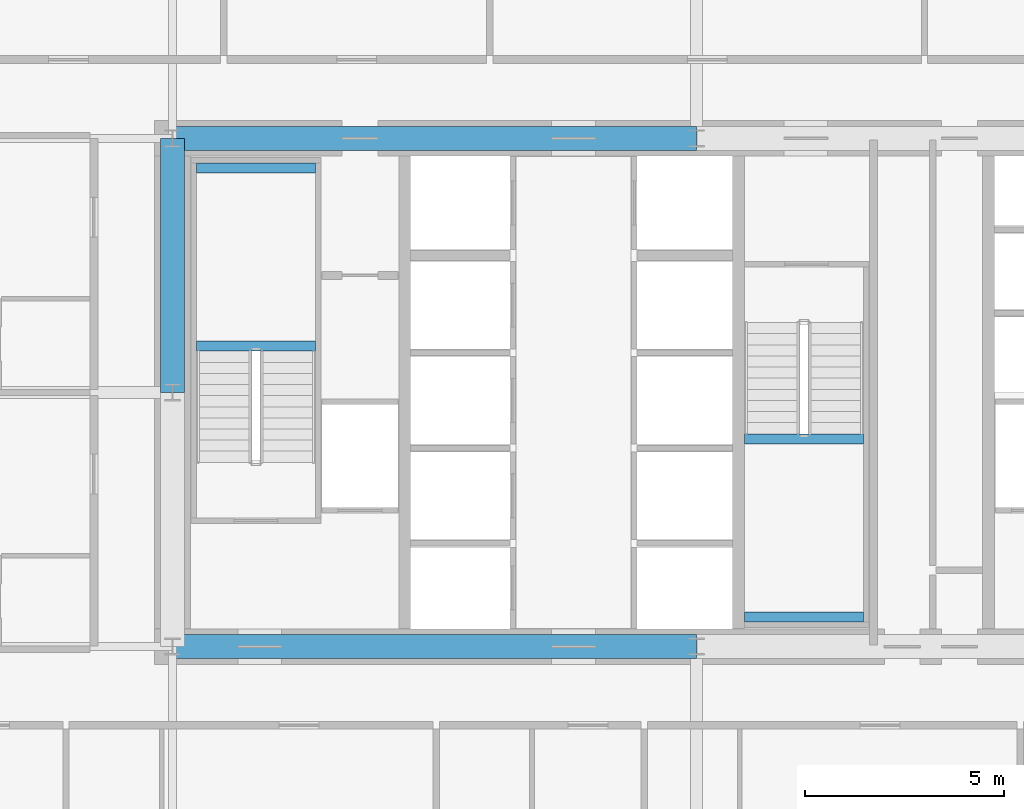
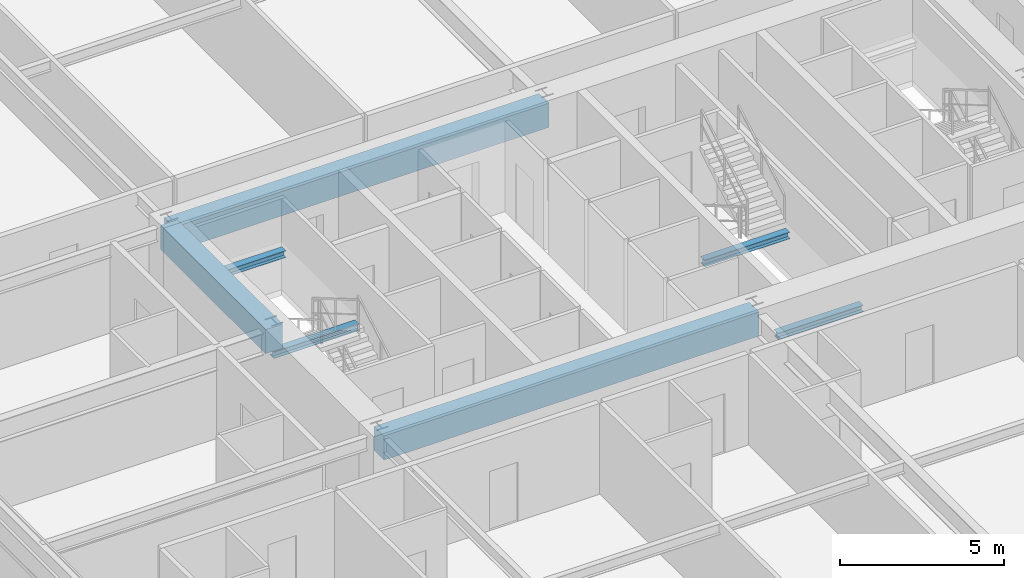
# One storey, part 12 of 43: 7 beams.
"""IFC4 building model written with IfcOpenShell, lengths in metres."""

from ifc_helpers import new_model, si_unit, direction, frame, origin, origin_2d, place, context, subcontext, project, spatial, rectangle, i_section, extrude, source, transform, mapped, material, material_profile, profile_set, type_object, element, save


model = new_model("IFC4")

# Units and contexts
model_context = context("Model", 3, precision=1e-05, world=origin(), true_north=direction((0.0, 1.0)))
body_context = subcontext(model_context, "Body", "Model", "MODEL_VIEW")
ifc_project = project(units=[si_unit("LENGTHUNIT", "METRE"), si_unit("AREAUNIT", "SQUARE_METRE"), si_unit("VOLUMEUNIT", "CUBIC_METRE"), si_unit("PLANEANGLEUNIT", "RADIAN"), si_unit("MASSUNIT", "GRAM", prefix="KILO"), si_unit("THERMODYNAMICTEMPERATUREUNIT", "KELVIN"), si_unit("POWERUNIT", "WATT")], contexts=[model_context])

# Site, building, storey
site_placement = place(None, origin())
site = spatial("IfcSite", under=ifc_project, at=site_placement, CompositionType="ELEMENT")
building_placement = place(site_placement, origin())
building = spatial("IfcBuilding", under=site, at=building_placement, Name="Yuzanri Waterfront Tower", CompositionType="ELEMENT")
storey_placement = place(building_placement, frame((0.0, 0.0, 60.39990234375)))
storey = spatial("IfcBuildingStorey", under=building, at=storey_placement, Name="L15", CompositionType="ELEMENT", Elevation=60.39990234375)

# Beams
ifc_material_1 = material(Name="Concrete C60", Category="concrete")
ifc_material_profile_1 = material_profile(ifc_material_1, rectangle(XDim=0.60009765625, YDim=0.89990234375, at=origin_2d()), Name="RC 600x900")
ifc_profile_set_1 = profile_set([ifc_material_profile_1], Name="Concrete C60")
beam_type_1 = type_object("IfcBeamType", Name="Core Coupling Lintel Concrete C60 600x900", PredefinedType="LINTEL", material=ifc_profile_set_1)
shared_shape_1 = source(origin(), body_context, "Body", "SweptSolid", [
    extrude(rectangle(XDim=0.60009765625, YDim=0.89990234375, at=origin_2d()), origin(), (0.0, 0.0, 1.0), 13.199951171875),
])
for number, where, z_axis, x_axis, name in (
    (1, (23.800048828125, 19.39990234375, 2.93017578125), (1.0, 0.0, 0.0), (0.0, 1.0, 0.0), "L15 Core Tie Beam CS1"),
    (2, (23.800048828125, 32.199951171875, 2.93017578125), (1.0, 0.0, 0.0), (0.0, 1.0, 0.0), "L15 Core Tie Beam CN1"),
):
    element("IfcBeam", number, at=place(storey_placement, frame(where, z_axis=z_axis, x_axis=x_axis)), inside=storey, type_object=beam_type_1, Name=name, PredefinedType="LINTEL", context=body_context, shape_type="MappedRepresentation", body=[
        mapped(shared_shape_1, transform((0.0, 0.0, 0.0), scale=1.0)),
    ])
shared_shape_2 = source(origin(), body_context, "Body", "SweptSolid", [
    extrude(rectangle(XDim=0.60009765625, YDim=0.89990234375, at=origin_2d()), origin(), (0.0, 0.0, 1.0), 6.39990234375),
])
beam_placement = place(storey_placement, frame((23.800048828125, 25.800048828125, 2.93017578125), z_axis=(0.0, 1.0, 0.0), x_axis=(-1.0, 0.0, 0.0)))
element("IfcBeam", 3, at=beam_placement, inside=storey, type_object=beam_type_1, Name="L15 Core Tie Beam CW2", PredefinedType="LINTEL", context=body_context, shape_type="MappedRepresentation", body=[
    mapped(shared_shape_2, transform((0.0, 0.0, 0.0), scale=1.0)),
])
ifc_material_2 = material(Name="Steel Q355B", Category="steel")
ifc_material_profile_2 = material_profile(ifc_material_2, i_section(OverallWidth=0.25, OverallDepth=0.25, WebThickness=0.009033203125, FlangeThickness=0.013916015625, at=origin_2d()), Name="HW 250x250x9x14")
ifc_profile_set_2 = profile_set([ifc_material_profile_2], Name="Steel Q355B")
beam_type_2 = type_object("IfcBeamType", Name="Stair Landing Support Beam Q355B HW 250x250", PredefinedType="BEAM", material=ifc_profile_set_2)
shared_shape_3 = source(origin(), body_context, "Body", "SweptSolid", [
    extrude(i_section(OverallWidth=0.25, OverallDepth=0.25, WebThickness=0.009033203125, FlangeThickness=0.013916015625, at=origin_2d()), origin(), (0.0, 0.0, 1.0), 3.0),
])
for number, where, z_axis, x_axis, name in (
    (4, (24.39990234375, 26.969970703125, 1.47509765625), (1.0, 0.0, 0.0), (0.0, 1.0, 0.0), "L15 Stair Landing Support Beam ST-01-L15-L1-1"),
    (5, (24.39990234375, 31.449951171875, 1.47509765625), (1.0, 0.0, 0.0), (0.0, 1.0, 0.0), "L15 Stair Landing Support Beam ST-01-L15-L1-2"),
    (6, (38.199951171875, 20.14990234375, 1.47509765625), (1.0, 0.0, 0.0), (0.0, 1.0, 0.0), "L15 Stair Landing Support Beam ST-03-L15-L1-1"),
    (7, (38.199951171875, 24.6298828125, 1.47509765625), (1.0, 0.0, 0.0), (0.0, 1.0, 0.0), "L15 Stair Landing Support Beam ST-03-L15-L1-2"),
):
    element("IfcBeam", number, at=place(storey_placement, frame(where, z_axis=z_axis, x_axis=x_axis)), inside=storey, type_object=beam_type_2, Name=name, PredefinedType="BEAM", context=body_context, shape_type="MappedRepresentation", body=[
        mapped(shared_shape_3, transform((0.0, 0.0, 0.0), scale=1.0)),
    ])

save(model, "model.ifc")
